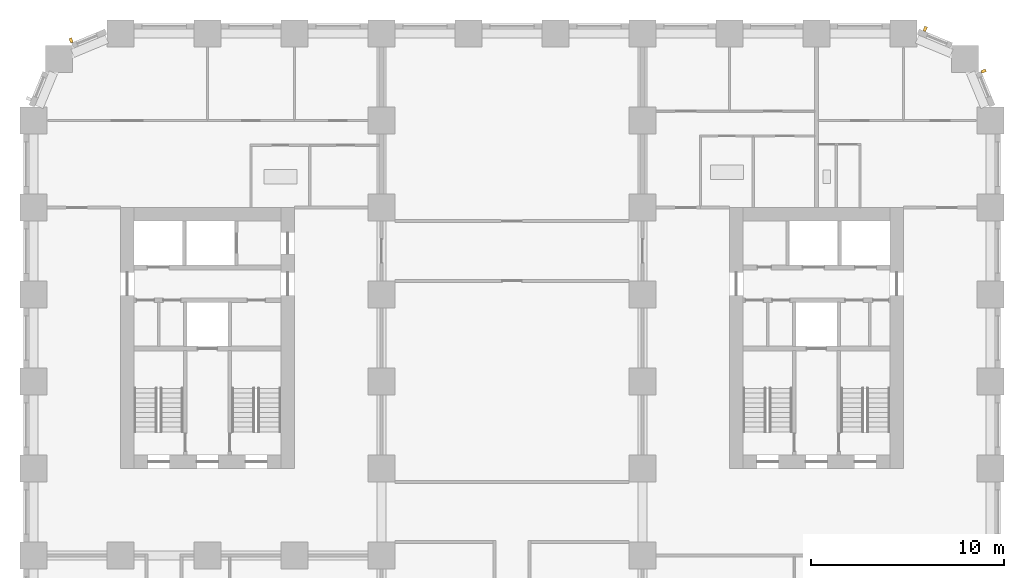
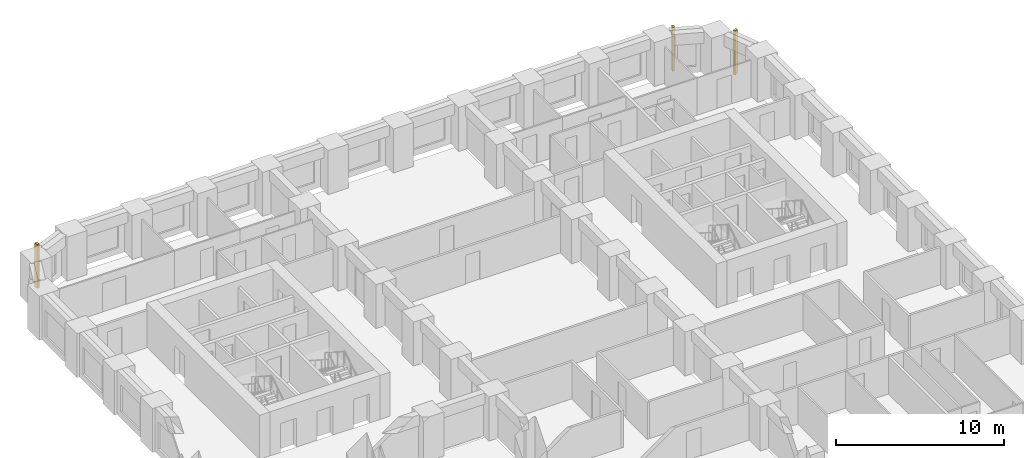
# One storey, part 11 of 12: 3 shading devices.
"""IFC4 building model written with IfcOpenShell, lengths in metres."""

from ifc_helpers import new_model, si_unit, direction, frame, origin, origin_2d, place, context, subcontext, project, spatial, rectangle, extrude, material, type_object, element, save


model = new_model("IFC4")

# Units and contexts
model_context = context("Model", 3, precision=1e-05, world=origin(), true_north=direction((0.0, 1.0)))
body_context = subcontext(model_context, "Body", "Model", "MODEL_VIEW")
ifc_project = project(units=[si_unit("LENGTHUNIT", "METRE"), si_unit("AREAUNIT", "SQUARE_METRE"), si_unit("VOLUMEUNIT", "CUBIC_METRE"), si_unit("PLANEANGLEUNIT", "RADIAN"), si_unit("MASSUNIT", "GRAM", prefix="KILO")], contexts=[model_context])

# Site, building, storey
site_placement = place(None, origin())
site = spatial("IfcSite", under=ifc_project, at=site_placement, CompositionType="ELEMENT")
building_placement = place(site_placement, origin())
building = spatial("IfcBuilding", under=site, at=building_placement, Name="Girih Gate Residences", CompositionType="ELEMENT")
storey_placement = place(building_placement, frame((0.0, 0.0, 72.0)))
storey = spatial("IfcBuildingStorey", under=building, at=storey_placement, Name="L19", CompositionType="ELEMENT", Elevation=72.0)

# Shading devices
ifc_material = material(Name="Precast concrete C50/60", Category="concrete")
shading_device_type = type_object("IfcShadingDeviceType", Name="Corner rib 150x250", PredefinedType="USERDEFINED", material=ifc_material)
for number, where, z_axis, x_axis, name in (
    (1, (49.14501953125, 47.5556640625, 0.0), (0.0, 0.0, 1.0), (-0.382683432365, 0.923879532511, 0.0), "Corner rib NE0495_0450.0"),
    (2, (46.123779296875, 49.738037109375, 0.0), (0.0, 0.0, 1.0), (-0.923879532511, 0.382683432365, 0.0), "Corner rib NE0482_0482.0"),
    (3, (1.9443359375, 49.14501953125, 0.0), (0.0, 0.0, 1.0), (-0.923879532511, -0.382683432365, 0.0), "Corner rib NW0045_0495.0"),
):
    element("IfcShadingDevice", number, at=place(storey_placement, frame(where, z_axis=z_axis, x_axis=x_axis)), inside=storey, type_object=shading_device_type, Name=name, ObjectType="FIN", PredefinedType="USERDEFINED", context=body_context, shape_type="SweptSolid", body=[
        extrude(rectangle(XDim=0.14990234375, YDim=0.25, at=origin_2d()), origin(), (0.0, 0.0, 1.0), 3.199951171875),
    ])

save(model, "model.ifc")
